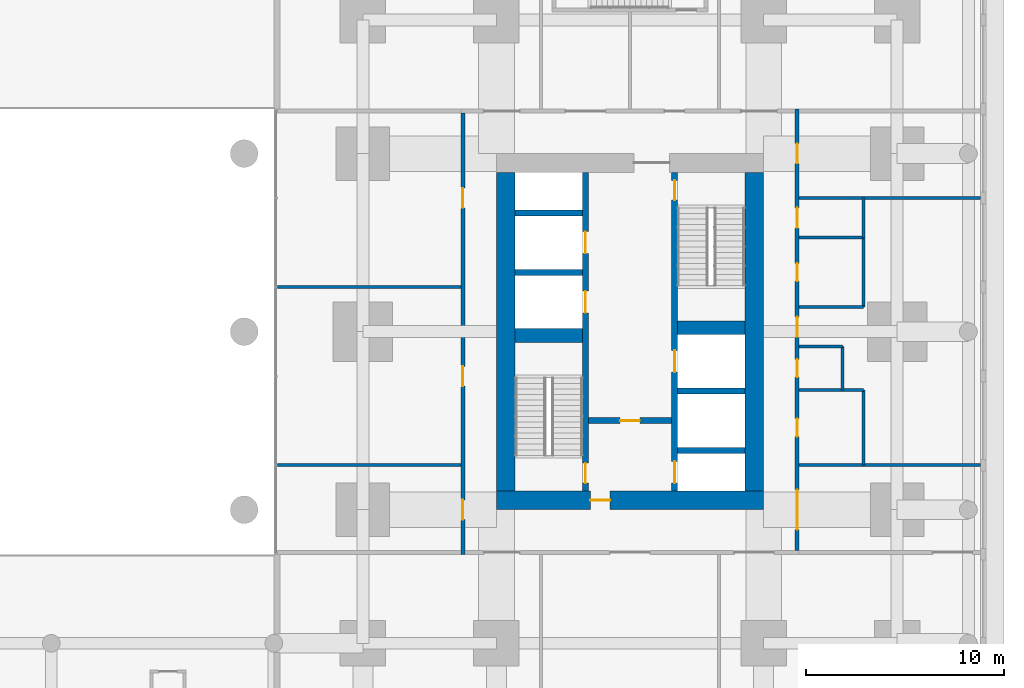
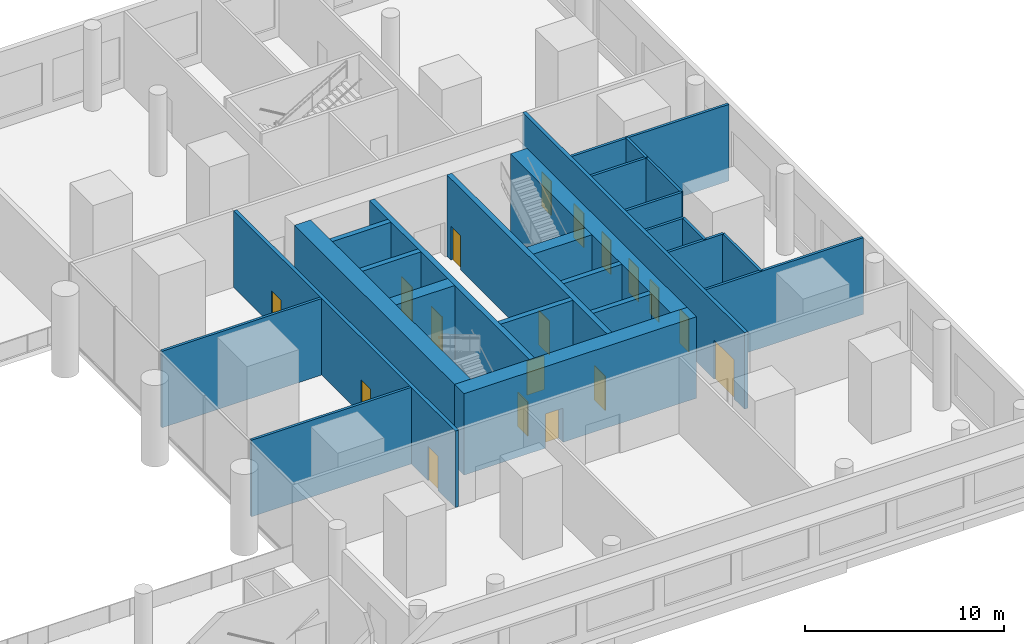
# One storey, part 15 of 21: 26 walls, 18 doors, 18 openings.
"""IFC4 building model written with IfcOpenShell, lengths in metres."""

from ifc_helpers import new_model, si_unit, direction, frame, frame_2d, origin, place, context, subcontext, project, spatial, rectangle, extrude, material, layer, layer_set, type_object, element, fill, save


model = new_model("IFC4")

# Units and contexts
model_context = context("Model", 3, precision=1e-05, world=origin(), true_north=direction((0.0, 1.0)))
body_context = subcontext(model_context, "Body", "Model", "MODEL_VIEW")
ifc_project = project(units=[si_unit("LENGTHUNIT", "METRE"), si_unit("AREAUNIT", "SQUARE_METRE"), si_unit("VOLUMEUNIT", "CUBIC_METRE"), si_unit("PLANEANGLEUNIT", "RADIAN"), si_unit("MASSUNIT", "GRAM", prefix="KILO")], contexts=[model_context])

# Site, building, storey
site_placement = place(None, origin())
site = spatial("IfcSite", under=ifc_project, at=site_placement, CompositionType="ELEMENT")
building_placement = place(site_placement, origin())
building = spatial("IfcBuilding", under=site, at=building_placement, Name="Namib Vertical Campus", CompositionType="ELEMENT")
storey_placement = place(building_placement, frame((0.0, 0.0, 6.0)))
storey = spatial("IfcBuildingStorey", under=building, at=storey_placement, Name="L01", CompositionType="ELEMENT", Elevation=6.0)

# Wall, openings, doors
ifc_material_1 = material(Name="Concrete C60/75", Category="concrete")
ifc_layer_1 = layer(ifc_material_1, 0.300048828125)
ifc_layer_set_1 = layer_set([ifc_layer_1], Name="Concrete C60/75")
wall_type_1 = type_object("IfcWallType", Name="Core inner wall 300", PredefinedType="SHEAR", material=ifc_layer_set_1)
wall_1_placement = place(storey_placement, frame((78.75, 12.199951171875, 0.0), z_axis=(0.0, 0.0, 1.0), x_axis=(0.0, 1.0, 0.0)))
wall_1 = element("IfcWall", 1, at=wall_1_placement, inside=storey, type_object=wall_type_1, Name="Core inner wall B L01 W1", PredefinedType="SHEAR", context=body_context, shape_type="SweptSolid", body=[
    extrude(rectangle(XDim=16.10009765625, YDim=0.300048828125, at=frame_2d((8.050048828125, 0.0))), origin(), (0.0, 0.0, 1.0), 5.0),
])
opening_1_placement = place(wall_1_placement, frame((0.39990234375, 0.0, 0.0)))
opening_1 = element("IfcOpeningElement", 2, at=opening_1_placement, cuts=wall_1, Name="Opening FD1", PredefinedType="OPENING", context=body_context, shape_type="SweptSolid", body=[
    extrude(rectangle(XDim=1.0, YDim=2.10009765625, at=frame_2d((0.5, 1.050048828125))), frame((0.0, 0.159912109375, 0.0), z_axis=(0.0, -1.0, 0.0), x_axis=(1.0, 0.0, 0.0)), (0.0, 0.0, 1.0), 0.320068359375),
])
opening_2_placement = place(wall_1_placement, frame((9.0, 0.0, 0.0)))
opening_2 = element("IfcOpeningElement", 3, at=opening_2_placement, cuts=wall_1, Name="Opening LD1", PredefinedType="OPENING", context=body_context, shape_type="SweptSolid", body=[
    extrude(rectangle(XDim=1.10009765625, YDim=2.10009765625, at=frame_2d((0.550048828125, 1.050048828125))), frame((0.0, 0.159912109375, 0.0), z_axis=(0.0, -1.0, 0.0), x_axis=(1.0, 0.0, 0.0)), (0.0, 0.0, 1.0), 0.320068359375),
])
opening_3_placement = place(wall_1_placement, frame((12.0, 0.0, 0.0)))
opening_3 = element("IfcOpeningElement", 4, at=opening_3_placement, cuts=wall_1, Name="Opening LD1", PredefinedType="OPENING", context=body_context, shape_type="SweptSolid", body=[
    extrude(rectangle(XDim=1.10009765625, YDim=2.10009765625, at=frame_2d((0.550048828125, 1.050048828125))), frame((0.0, 0.159912109375, 0.0), z_axis=(0.0, -1.0, 0.0), x_axis=(1.0, 0.0, 0.0)), (0.0, 0.0, 1.0), 0.320068359375),
])
ifc_material_2 = material(Name="Steel fire door", Category="steel")
door_type_1 = type_object("IfcDoorType", Name="Fire door 1000x2100", OperationType="SINGLE_SWING_RIGHT", PredefinedType="DOOR", material=ifc_material_2)
door_1_placement = place(opening_1_placement, origin())
door_1 = element("IfcDoor", 5, at=door_1_placement, inside=storey, type_object=door_type_1, Name="Stair door FD1 B L01 S1", OperationType="SINGLE_SWING_LEFT", OverallHeight=2.10009765625, OverallWidth=1.0, PredefinedType="DOOR", context=body_context, shape_type="SweptSolid", body=[
    extrude(rectangle(XDim=1.0, YDim=2.10009765625, at=frame_2d((0.5, 1.050048828125))), frame((0.0, 0.02490234375, 0.0), z_axis=(0.0, -1.0, 0.0), x_axis=(1.0, 0.0, 0.0)), (0.0, 0.0, 1.0), 0.050048828125),
])
fill(opening_1, door_1)
ifc_material_3 = material(Name="Stainless steel lift door", Category="steel")
door_type_2 = type_object("IfcDoorType", Name="Lift landing door 1100x2100", OperationType="DOUBLE_DOOR_SLIDING", PredefinedType="DOOR", material=ifc_material_3)
door_2_placement = place(opening_2_placement, origin())
door_2 = element("IfcDoor", 6, at=door_2_placement, inside=storey, type_object=door_type_2, Name="Lift landing door LD1 B-P1 L01", OperationType="DOUBLE_DOOR_SLIDING", OverallHeight=2.10009765625, OverallWidth=1.10009765625, PredefinedType="DOOR", context=body_context, shape_type="SweptSolid", body=[
    extrude(rectangle(XDim=1.10009765625, YDim=2.10009765625, at=frame_2d((0.550048828125, 1.050048828125))), frame((0.0, 0.02490234375, 0.0), z_axis=(0.0, -1.0, 0.0), x_axis=(1.0, 0.0, 0.0)), (0.0, 0.0, 1.0), 0.050048828125),
])
fill(opening_2, door_2)
door_3_placement = place(opening_3_placement, origin())
door_3 = element("IfcDoor", 7, at=door_3_placement, inside=storey, type_object=door_type_2, Name="Lift landing door LD1 B-P2 L01", OperationType="DOUBLE_DOOR_SLIDING", OverallHeight=2.10009765625, OverallWidth=1.10009765625, PredefinedType="DOOR", context=body_context, shape_type="SweptSolid", body=[
    extrude(rectangle(XDim=1.10009765625, YDim=2.10009765625, at=frame_2d((0.550048828125, 1.050048828125))), frame((0.0, 0.02490234375, 0.0), z_axis=(0.0, -1.0, 0.0), x_axis=(1.0, 0.0, 0.0)), (0.0, 0.0, 1.0), 0.050048828125),
])
fill(opening_3, door_3)

wall_2_placement = place(storey_placement, frame((83.25, 12.199951171875, 0.0), z_axis=(0.0, 0.0, 1.0), x_axis=(0.0, 1.0, 0.0)))
wall_2 = element("IfcWall", 8, at=wall_2_placement, inside=storey, type_object=wall_type_1, Name="Core inner wall B L01 W2", PredefinedType="SHEAR", context=body_context, shape_type="SweptSolid", body=[
    extrude(rectangle(XDim=16.10009765625, YDim=0.300048828125, at=frame_2d((8.050048828125, 0.0))), origin(), (0.0, 0.0, 1.0), 5.0),
])
opening_4_placement = place(wall_2_placement, frame((14.699951171875, 0.0, 0.0)))
opening_4 = element("IfcOpeningElement", 9, at=opening_4_placement, cuts=wall_2, Name="Opening FD1", PredefinedType="OPENING", context=body_context, shape_type="SweptSolid", body=[
    extrude(rectangle(XDim=1.0, YDim=2.10009765625, at=frame_2d((0.5, 1.050048828125))), frame((0.0, 0.159912109375, 0.0), z_axis=(0.0, -1.0, 0.0), x_axis=(1.0, 0.0, 0.0)), (0.0, 0.0, 1.0), 0.320068359375),
])
opening_5_placement = place(wall_2_placement, frame((0.39990234375, 0.0, 0.0)))
opening_5 = element("IfcOpeningElement", 10, at=opening_5_placement, cuts=wall_2, Name="Opening LD1", PredefinedType="OPENING", context=body_context, shape_type="SweptSolid", body=[
    extrude(rectangle(XDim=1.10009765625, YDim=2.10009765625, at=frame_2d((0.550048828125, 1.050048828125))), frame((0.0, 0.159912109375, 0.0), z_axis=(0.0, -1.0, 0.0), x_axis=(1.0, 0.0, 0.0)), (0.0, 0.0, 1.0), 0.320068359375),
])
opening_6_placement = place(wall_2_placement, frame((6.0, 0.0, 0.0)))
opening_6 = element("IfcOpeningElement", 11, at=opening_6_placement, cuts=wall_2, Name="Opening LD1", PredefinedType="OPENING", context=body_context, shape_type="SweptSolid", body=[
    extrude(rectangle(XDim=1.10009765625, YDim=2.10009765625, at=frame_2d((0.550048828125, 1.050048828125))), frame((0.0, 0.159912109375, 0.0), z_axis=(0.0, -1.0, 0.0), x_axis=(1.0, 0.0, 0.0)), (0.0, 0.0, 1.0), 0.320068359375),
])
door_4_placement = place(opening_4_placement, frame((1.0, 0.0, 0.0), z_axis=(0.0, 0.0, 1.0), x_axis=(-1.0, 0.0, 0.0)))
door_4 = element("IfcDoor", 12, at=door_4_placement, inside=storey, type_object=door_type_1, Name="Stair door FD1 B L01 S2", OperationType="SINGLE_SWING_LEFT", OverallHeight=2.10009765625, OverallWidth=1.0, PredefinedType="DOOR", context=body_context, shape_type="SweptSolid", body=[
    extrude(rectangle(XDim=1.0, YDim=2.10009765625, at=frame_2d((0.5, 1.050048828125))), frame((0.0, 0.02490234375, 0.0), z_axis=(0.0, -1.0, 0.0), x_axis=(1.0, 0.0, 0.0)), (0.0, 0.0, 1.0), 0.050048828125),
])
fill(opening_4, door_4)
door_5_placement = place(opening_5_placement, origin())
door_5 = element("IfcDoor", 13, at=door_5_placement, inside=storey, type_object=door_type_2, Name="Lift landing door LD1 B-FL1 L01", OperationType="DOUBLE_DOOR_SLIDING", OverallHeight=2.10009765625, OverallWidth=1.10009765625, PredefinedType="DOOR", context=body_context, shape_type="SweptSolid", body=[
    extrude(rectangle(XDim=1.10009765625, YDim=2.10009765625, at=frame_2d((0.550048828125, 1.050048828125))), frame((0.0, 0.02490234375, 0.0), z_axis=(0.0, -1.0, 0.0), x_axis=(1.0, 0.0, 0.0)), (0.0, 0.0, 1.0), 0.050048828125),
])
fill(opening_5, door_5)
door_6_placement = place(opening_6_placement, origin())
door_6 = element("IfcDoor", 14, at=door_6_placement, inside=storey, type_object=door_type_2, Name="Lift landing door LD1 B-P5 L01", OperationType="DOUBLE_DOOR_SLIDING", OverallHeight=2.10009765625, OverallWidth=1.10009765625, PredefinedType="DOOR", context=body_context, shape_type="SweptSolid", body=[
    extrude(rectangle(XDim=1.10009765625, YDim=2.10009765625, at=frame_2d((0.550048828125, 1.050048828125))), frame((0.0, 0.02490234375, 0.0), z_axis=(0.0, -1.0, 0.0), x_axis=(1.0, 0.0, 0.0)), (0.0, 0.0, 1.0), 0.050048828125),
])
fill(opening_6, door_6)

# Wall, opening, door
wall_3_placement = place(storey_placement, frame((78.89990234375, 15.75, 0.0), z_axis=(0.0, 0.0, 1.0), x_axis=(1.0, 0.0, 0.0)))
wall_3 = element("IfcWall", 15, at=wall_3_placement, inside=storey, type_object=wall_type_1, Name="Core inner wall B L01 W4", PredefinedType="SHEAR", context=body_context, shape_type="SweptSolid", body=[
    extrude(rectangle(XDim=4.2001953125, YDim=0.300048828125, at=frame_2d((2.10009765625, 0.0))), origin(), (0.0, 0.0, 1.0), 5.0),
])
opening_7_placement = place(wall_3_placement, frame((1.60009765625, 0.0, 0.0)))
opening_7 = element("IfcOpeningElement", 16, at=opening_7_placement, cuts=wall_3, Name="Opening FD5", PredefinedType="OPENING", context=body_context, shape_type="SweptSolid", body=[
    extrude(rectangle(XDim=1.0, YDim=2.10009765625, at=frame_2d((0.5, 1.050048828125))), frame((0.0, 0.159912109375, 0.0), z_axis=(0.0, -1.0, 0.0), x_axis=(1.0, 0.0, 0.0)), (0.0, 0.0, 1.0), 0.320068359375),
])
ifc_material_4 = material(Name="Steel fire door", Category="steel")
door_type_3 = type_object("IfcDoorType", Name="Fire door 1000x2100 120 min", OperationType="SINGLE_SWING_RIGHT", PredefinedType="DOOR", material=ifc_material_4)
door_7_placement = place(opening_7_placement, frame((1.0, 0.0, 0.0), z_axis=(0.0, 0.0, 1.0), x_axis=(-1.0, 0.0, 0.0)))
door_7 = element("IfcDoor", 17, at=door_7_placement, inside=storey, type_object=door_type_3, Name="Lobby door FD5 B L01", OperationType="SINGLE_SWING_RIGHT", OverallHeight=2.10009765625, OverallWidth=1.0, PredefinedType="DOOR", context=body_context, shape_type="SweptSolid", body=[
    extrude(rectangle(XDim=1.0, YDim=2.10009765625, at=frame_2d((0.5, 1.050048828125))), frame((0.0, 0.02490234375, 0.0), z_axis=(0.0, -1.0, 0.0), x_axis=(1.0, 0.0, 0.0)), (0.0, 0.0, 1.0), 0.050048828125),
])
fill(opening_7, door_7)

# Walls
for number, where, z_axis, x_axis, name in (
    (18, (83.39990234375, 14.25, 0.0), (0.0, 0.0, 1.0), (1.0, 0.0, 0.0), "Core inner wall B L01 W5"),
    (19, (83.39990234375, 17.25, 0.0), (0.0, 0.0, 1.0), (1.0, 0.0, 0.0), "Core inner wall B L01 W6"),
    (20, (75.199951171875, 23.25, 0.0), (0.0, 0.0, 1.0), (1.0, 0.0, 0.0), "Core inner wall B L01 W8"),
    (21, (75.199951171875, 26.25, 0.0), (0.0, 0.0, 1.0), (1.0, 0.0, 0.0), "Core inner wall B L01 W9"),
):
    element("IfcWall", number, at=place(storey_placement, frame(where, z_axis=z_axis, x_axis=x_axis)), inside=storey, type_object=wall_type_1, Name=name, PredefinedType="SHEAR", context=body_context, shape_type="SweptSolid", body=[
        extrude(rectangle(XDim=3.400146484375, YDim=0.300048828125, at=frame_2d((1.7001953125, 0.0))), origin(), (0.0, 0.0, 1.0), 5.0),
    ])
ifc_material_5 = material(Name="Concrete C60/75", Category="concrete")
ifc_layer_2 = layer(ifc_material_5, 0.699951171875)
ifc_layer_set_2 = layer_set([ifc_layer_2], Name="Concrete C60/75")
wall_type_2 = type_object("IfcWallType", Name="Core shear wall 700", PredefinedType="SHEAR", material=ifc_layer_set_2)
for number, where, z_axis, x_axis, name in (
    (22, (75.199951171875, 20.050048828125, 0.0), (0.0, 0.0, 1.0), (1.0, 0.0, 0.0), "Core shear wall B L01 W3"),
    (23, (83.39990234375, 20.449951171875, 0.0), (0.0, 0.0, 1.0), (1.0, 0.0, 0.0), "Core shear wall B L01 W7"),
):
    element("IfcWall", number, at=place(storey_placement, frame(where, z_axis=z_axis, x_axis=x_axis)), inside=storey, type_object=wall_type_2, Name=name, PredefinedType="SHEAR", context=body_context, shape_type="SweptSolid", body=[
        extrude(rectangle(XDim=3.400146484375, YDim=0.699951171875, at=frame_2d((1.7001953125, 0.0))), origin(), (0.0, 0.0, 1.0), 5.0),
    ])

# Wall, opening, door
ifc_material_6 = material(Name="Concrete C60/75", Category="concrete")
ifc_layer_3 = layer(ifc_material_6, 0.949951171875)
ifc_layer_set_3 = layer_set([ifc_layer_3], Name="Concrete C60/75")
wall_type_3 = type_object("IfcWallType", Name="Core wall 950", PredefinedType="SHEAR", material=ifc_layer_set_3)
wall_4_placement = place(storey_placement, frame((74.25, 11.72509765625, 0.0), z_axis=(0.0, 0.0, 1.0), x_axis=(1.0, 0.0, 0.0)))
wall_4 = element("IfcWall", 24, at=wall_4_placement, inside=storey, type_object=wall_type_3, Name="Core wall B L01 1", PredefinedType="SHEAR", context=body_context, shape_type="SweptSolid", body=[
    extrude(rectangle(XDim=13.5, YDim=0.949951171875, at=frame_2d((6.75, 0.0))), origin(), (0.0, 0.0, 1.0), 5.0),
])
opening_8_placement = place(wall_4_placement, frame((4.75, 0.0, 0.0)))
opening_8 = element("IfcOpeningElement", 25, at=opening_8_placement, cuts=wall_4, Name="Opening FD5", PredefinedType="OPENING", context=body_context, shape_type="SweptSolid", body=[
    extrude(rectangle(XDim=1.0, YDim=2.10009765625, at=frame_2d((0.5, 1.050048828125))), frame((0.0, 0.48486328125, 0.0), z_axis=(0.0, -1.0, 0.0), x_axis=(1.0, 0.0, 0.0)), (0.0, 0.0, 1.0), 0.969970703125),
])
door_8_placement = place(opening_8_placement, origin())
door_8 = element("IfcDoor", 26, at=door_8_placement, inside=storey, type_object=door_type_3, Name="Firefighting lobby door FD5 B L01", OperationType="SINGLE_SWING_LEFT", OverallHeight=2.10009765625, OverallWidth=1.0, PredefinedType="DOOR", context=body_context, shape_type="SweptSolid", body=[
    extrude(rectangle(XDim=1.0, YDim=2.10009765625, at=frame_2d((0.5, 1.050048828125))), frame((0.0, 0.02490234375, 0.0), z_axis=(0.0, -1.0, 0.0), x_axis=(1.0, 0.0, 0.0)), (0.0, 0.0, 1.0), 0.050048828125),
])
fill(opening_8, door_8)

# Walls
for number, where, z_axis, x_axis, name in (
    (27, (87.27490234375, 12.199951171875, 0.0), (0.0, 0.0, 1.0), (0.0, 1.0, 0.0), "Core wall B L01 2"),
    (28, (74.72509765625, 28.300048828125, 0.0), (0.0, 0.0, 1.0), (0.0, -1.0, 0.0), "Core wall B L01 4"),
):
    element("IfcWall", number, at=place(storey_placement, frame(where, z_axis=z_axis, x_axis=x_axis)), inside=storey, type_object=wall_type_3, Name=name, PredefinedType="SHEAR", context=body_context, shape_type="SweptSolid", body=[
        extrude(rectangle(XDim=16.10009765625, YDim=0.949951171875, at=frame_2d((8.050048828125, 0.0))), origin(), (0.0, 0.0, 1.0), 5.0),
    ])

# Wall, openings, doors
ifc_material_7 = material(Name="Concrete masonry", Category="masonry")
ifc_layer_4 = layer(ifc_material_7, 0.199951171875)
ifc_layer_set_4 = layer_set([ifc_layer_4], Name="Corridor wall 200")
wall_type_4 = type_object("IfcWallType", Name="Corridor wall 200", PredefinedType="SOLIDWALL", material=ifc_layer_set_4)
wall_5_placement = place(storey_placement, frame((89.449951171875, 9.199951171875, 0.0), z_axis=(0.0, 0.0, 1.0), x_axis=(0.0, 1.0, 0.0)))
wall_5 = element("IfcWall", 29, at=wall_5_placement, inside=storey, type_object=wall_type_4, Name="Corridor wall B L01 CE", PredefinedType="SOLIDWALL", context=body_context, shape_type="SweptSolid", body=[
    extrude(rectangle(XDim=22.300048828125, YDim=0.199951171875, at=frame_2d((11.14990234375, 0.0))), origin(), (0.0, 0.0, 1.0), 4.699951171875),
])
opening_9_placement = place(wall_5_placement, frame((1.050048828125, 0.0, 0.0)))
opening_9 = element("IfcOpeningElement", 30, at=opening_9_placement, cuts=wall_5, Name="Opening AD1", PredefinedType="OPENING", context=body_context, shape_type="SweptSolid", body=[
    extrude(rectangle(XDim=2.0, YDim=2.39990234375, at=frame_2d((1.0, 1.199951171875))), frame((0.0, 0.10986328125, 0.0), z_axis=(0.0, -1.0, 0.0), x_axis=(1.0, 0.0, 0.0)), (0.0, 0.0, 1.0), 0.219970703125),
])
opening_10_placement = place(wall_5_placement, frame((5.75, 0.0, 0.0)))
opening_10 = element("IfcOpeningElement", 31, at=opening_10_placement, cuts=wall_5, Name="Opening CD3", PredefinedType="OPENING", context=body_context, shape_type="SweptSolid", body=[
    extrude(rectangle(XDim=0.89990234375, YDim=2.10009765625, at=frame_2d((0.449951171875, 1.050048828125))), frame((0.0, 0.10986328125, 0.0), z_axis=(0.0, -1.0, 0.0), x_axis=(1.0, 0.0, 0.0)), (0.0, 0.0, 1.0), 0.219970703125),
])
opening_11_placement = place(wall_5_placement, frame((8.75, 0.0, 0.0)))
opening_11 = element("IfcOpeningElement", 32, at=opening_11_placement, cuts=wall_5, Name="Opening CD3", PredefinedType="OPENING", context=body_context, shape_type="SweptSolid", body=[
    extrude(rectangle(XDim=0.89990234375, YDim=2.10009765625, at=frame_2d((0.449951171875, 1.050048828125))), frame((0.0, 0.10986328125, 0.0), z_axis=(0.0, -1.0, 0.0), x_axis=(1.0, 0.0, 0.0)), (0.0, 0.0, 1.0), 0.219970703125),
])
opening_12_placement = place(wall_5_placement, frame((13.60009765625, 0.0, 0.0)))
opening_12 = element("IfcOpeningElement", 33, at=opening_12_placement, cuts=wall_5, Name="Opening CD3", PredefinedType="OPENING", context=body_context, shape_type="SweptSolid", body=[
    extrude(rectangle(XDim=0.89990234375, YDim=2.10009765625, at=frame_2d((0.449951171875, 1.050048828125))), frame((0.0, 0.10986328125, 0.0), z_axis=(0.0, -1.0, 0.0), x_axis=(1.0, 0.0, 0.0)), (0.0, 0.0, 1.0), 0.219970703125),
])
opening_13_placement = place(wall_5_placement, frame((16.300048828125, 0.0, 0.0)))
opening_13 = element("IfcOpeningElement", 34, at=opening_13_placement, cuts=wall_5, Name="Opening CD1", PredefinedType="OPENING", context=body_context, shape_type="SweptSolid", body=[
    extrude(rectangle(XDim=1.0, YDim=2.10009765625, at=frame_2d((0.5, 1.050048828125))), frame((0.0, 0.10986328125, 0.0), z_axis=(0.0, -1.0, 0.0), x_axis=(1.0, 0.0, 0.0)), (0.0, 0.0, 1.0), 0.219970703125),
])
opening_14_placement = place(wall_5_placement, frame((10.800048828125, 0.0, 0.0)))
opening_14 = element("IfcOpeningElement", 35, at=opening_14_placement, cuts=wall_5, Name="Opening CD1", PredefinedType="OPENING", context=body_context, shape_type="SweptSolid", body=[
    extrude(rectangle(XDim=1.0, YDim=2.10009765625, at=frame_2d((0.5, 1.050048828125))), frame((0.0, 0.10986328125, 0.0), z_axis=(0.0, -1.0, 0.0), x_axis=(1.0, 0.0, 0.0)), (0.0, 0.0, 1.0), 0.219970703125),
])
opening_15_placement = place(wall_5_placement, frame((19.550048828125, 0.0, 0.0)))
opening_15 = element("IfcOpeningElement", 36, at=opening_15_placement, cuts=wall_5, Name="Opening CD1", PredefinedType="OPENING", context=body_context, shape_type="SweptSolid", body=[
    extrude(rectangle(XDim=1.0, YDim=2.10009765625, at=frame_2d((0.5, 1.050048828125))), frame((0.0, 0.10986328125, 0.0), z_axis=(0.0, -1.0, 0.0), x_axis=(1.0, 0.0, 0.0)), (0.0, 0.0, 1.0), 0.219970703125),
])
ifc_material_8 = material(Name="Timber fire door leaf", Category="wood")
door_type_4 = type_object("IfcDoorType", Name="Corridor door 1000x2100 20 min", OperationType="SINGLE_SWING_LEFT", PredefinedType="DOOR", material=ifc_material_8)
door_9_placement = place(opening_13_placement, frame((1.0, 0.0, 0.0), z_axis=(0.0, 0.0, 1.0), x_axis=(-1.0, 0.0, 0.0)))
door_9 = element("IfcDoor", 37, at=door_9_placement, inside=storey, type_object=door_type_4, Name="Door CD1 B01-08", OperationType="SINGLE_SWING_RIGHT", OverallHeight=2.10009765625, OverallWidth=1.0, PredefinedType="DOOR", context=body_context, shape_type="SweptSolid", body=[
    extrude(rectangle(XDim=1.0, YDim=2.10009765625, at=frame_2d((0.5, 1.050048828125))), frame((0.0, 0.02490234375, 0.0), z_axis=(0.0, -1.0, 0.0), x_axis=(1.0, 0.0, 0.0)), (0.0, 0.0, 1.0), 0.050048828125),
])
fill(opening_13, door_9)
door_10_placement = place(opening_14_placement, frame((1.0, 0.0, 0.0), z_axis=(0.0, 0.0, 1.0), x_axis=(-1.0, 0.0, 0.0)))
door_10 = element("IfcDoor", 38, at=door_10_placement, inside=storey, type_object=door_type_4, Name="Door CD1 B01-09", OperationType="SINGLE_SWING_RIGHT", OverallHeight=2.10009765625, OverallWidth=1.0, PredefinedType="DOOR", context=body_context, shape_type="SweptSolid", body=[
    extrude(rectangle(XDim=1.0, YDim=2.10009765625, at=frame_2d((0.5, 1.050048828125))), frame((0.0, 0.02490234375, 0.0), z_axis=(0.0, -1.0, 0.0), x_axis=(1.0, 0.0, 0.0)), (0.0, 0.0, 1.0), 0.050048828125),
])
fill(opening_14, door_10)
door_11_placement = place(opening_15_placement, frame((1.0, 0.0, 0.0), z_axis=(0.0, 0.0, 1.0), x_axis=(-1.0, 0.0, 0.0)))
door_11 = element("IfcDoor", 39, at=door_11_placement, inside=storey, type_object=door_type_4, Name="Door CD1 B01-10", OperationType="SINGLE_SWING_RIGHT", OverallHeight=2.10009765625, OverallWidth=1.0, PredefinedType="DOOR", context=body_context, shape_type="SweptSolid", body=[
    extrude(rectangle(XDim=1.0, YDim=2.10009765625, at=frame_2d((0.5, 1.050048828125))), frame((0.0, 0.02490234375, 0.0), z_axis=(0.0, -1.0, 0.0), x_axis=(1.0, 0.0, 0.0)), (0.0, 0.0, 1.0), 0.050048828125),
])
fill(opening_15, door_11)
ifc_material_9 = material(Name="Timber fire door leaf", Category="wood")
door_type_5 = type_object("IfcDoorType", Name="Corridor toilet door 900x2100 20 min", OperationType="SINGLE_SWING_LEFT", PredefinedType="DOOR", material=ifc_material_9)
door_12_placement = place(opening_10_placement, frame((0.89990234375, 0.0, 0.0), z_axis=(0.0, 0.0, 1.0), x_axis=(-1.0, 0.0, 0.0)))
door_12 = element("IfcDoor", 40, at=door_12_placement, inside=storey, type_object=door_type_5, Name="Door CD3 B01-05", OperationType="SINGLE_SWING_RIGHT", OverallHeight=2.10009765625, OverallWidth=0.89990234375, PredefinedType="DOOR", context=body_context, shape_type="SweptSolid", body=[
    extrude(rectangle(XDim=0.89990234375, YDim=2.10009765625, at=frame_2d((0.449951171875, 1.050048828125))), frame((0.0, 0.02490234375, 0.0), z_axis=(0.0, -1.0, 0.0), x_axis=(1.0, 0.0, 0.0)), (0.0, 0.0, 1.0), 0.050048828125),
])
fill(opening_10, door_12)
door_13_placement = place(opening_11_placement, frame((0.89990234375, 0.0, 0.0), z_axis=(0.0, 0.0, 1.0), x_axis=(-1.0, 0.0, 0.0)))
door_13 = element("IfcDoor", 41, at=door_13_placement, inside=storey, type_object=door_type_5, Name="Door CD3 B01-06", OperationType="SINGLE_SWING_RIGHT", OverallHeight=2.10009765625, OverallWidth=0.89990234375, PredefinedType="DOOR", context=body_context, shape_type="SweptSolid", body=[
    extrude(rectangle(XDim=0.89990234375, YDim=2.10009765625, at=frame_2d((0.449951171875, 1.050048828125))), frame((0.0, 0.02490234375, 0.0), z_axis=(0.0, -1.0, 0.0), x_axis=(1.0, 0.0, 0.0)), (0.0, 0.0, 1.0), 0.050048828125),
])
fill(opening_11, door_13)
door_14_placement = place(opening_12_placement, frame((0.89990234375, 0.0, 0.0), z_axis=(0.0, 0.0, 1.0), x_axis=(-1.0, 0.0, 0.0)))
door_14 = element("IfcDoor", 42, at=door_14_placement, inside=storey, type_object=door_type_5, Name="Door CD3 B01-07", OperationType="SINGLE_SWING_RIGHT", OverallHeight=2.10009765625, OverallWidth=0.89990234375, PredefinedType="DOOR", context=body_context, shape_type="SweptSolid", body=[
    extrude(rectangle(XDim=0.89990234375, YDim=2.10009765625, at=frame_2d((0.449951171875, 1.050048828125))), frame((0.0, 0.02490234375, 0.0), z_axis=(0.0, -1.0, 0.0), x_axis=(1.0, 0.0, 0.0)), (0.0, 0.0, 1.0), 0.050048828125),
])
fill(opening_12, door_14)
ifc_material_10 = material(Name="Timber acoustic fire door leaf", Category="wood")
door_type_6 = type_object("IfcDoorType", Name="Lecture theatre door pair 2000x2400 acoustic", OperationType="DOUBLE_DOOR_SINGLE_SWING", PredefinedType="DOOR", material=ifc_material_10)
door_15_placement = place(opening_9_placement, origin())
door_15 = element("IfcDoor", 43, at=door_15_placement, inside=storey, type_object=door_type_6, Name="Door AD1 B01-04", OperationType="DOUBLE_DOOR_SINGLE_SWING", OverallHeight=2.39990234375, OverallWidth=2.0, PredefinedType="DOOR", context=body_context, shape_type="SweptSolid", body=[
    extrude(rectangle(XDim=2.0, YDim=2.39990234375, at=frame_2d((1.0, 1.199951171875))), frame((0.0, 0.02490234375, 0.0), z_axis=(0.0, -1.0, 0.0), x_axis=(1.0, 0.0, 0.0)), (0.0, 0.0, 1.0), 0.050048828125),
])
fill(opening_9, door_15)

wall_6_placement = place(storey_placement, frame((72.550048828125, 31.300048828125, 0.0), z_axis=(0.0, 0.0, 1.0), x_axis=(0.0, -1.0, 0.0)))
wall_6 = element("IfcWall", 44, at=wall_6_placement, inside=storey, type_object=wall_type_4, Name="Corridor wall B L01 CW", PredefinedType="SOLIDWALL", context=body_context, shape_type="SweptSolid", body=[
    extrude(rectangle(XDim=22.300048828125, YDim=0.199951171875, at=frame_2d((11.14990234375, 0.0))), origin(), (0.0, 0.0, 1.0), 4.699951171875),
])
opening_16_placement = place(wall_6_placement, frame((19.550048828125, 0.0, 0.0)))
opening_16 = element("IfcOpeningElement", 45, at=opening_16_placement, cuts=wall_6, Name="Opening CD1", PredefinedType="OPENING", context=body_context, shape_type="SweptSolid", body=[
    extrude(rectangle(XDim=1.0, YDim=2.10009765625, at=frame_2d((0.5, 1.050048828125))), frame((0.0, 0.10986328125, 0.0), z_axis=(0.0, -1.0, 0.0), x_axis=(1.0, 0.0, 0.0)), (0.0, 0.0, 1.0), 0.219970703125),
])
opening_17_placement = place(wall_6_placement, frame((12.800048828125, 0.0, 0.0)))
opening_17 = element("IfcOpeningElement", 46, at=opening_17_placement, cuts=wall_6, Name="Opening CD1", PredefinedType="OPENING", context=body_context, shape_type="SweptSolid", body=[
    extrude(rectangle(XDim=1.0, YDim=2.10009765625, at=frame_2d((0.5, 1.050048828125))), frame((0.0, 0.10986328125, 0.0), z_axis=(0.0, -1.0, 0.0), x_axis=(1.0, 0.0, 0.0)), (0.0, 0.0, 1.0), 0.219970703125),
])
opening_18_placement = place(wall_6_placement, frame((3.800048828125, 0.0, 0.0)))
opening_18 = element("IfcOpeningElement", 47, at=opening_18_placement, cuts=wall_6, Name="Opening CD1", PredefinedType="OPENING", context=body_context, shape_type="SweptSolid", body=[
    extrude(rectangle(XDim=1.0, YDim=2.10009765625, at=frame_2d((0.5, 1.050048828125))), frame((0.0, 0.10986328125, 0.0), z_axis=(0.0, -1.0, 0.0), x_axis=(1.0, 0.0, 0.0)), (0.0, 0.0, 1.0), 0.219970703125),
])
door_16_placement = place(opening_16_placement, frame((1.0, 0.0, 0.0), z_axis=(0.0, 0.0, 1.0), x_axis=(-1.0, 0.0, 0.0)))
door_16 = element("IfcDoor", 48, at=door_16_placement, inside=storey, type_object=door_type_4, Name="Door CD1 B01-15", OperationType="SINGLE_SWING_RIGHT", OverallHeight=2.10009765625, OverallWidth=1.0, PredefinedType="DOOR", context=body_context, shape_type="SweptSolid", body=[
    extrude(rectangle(XDim=1.0, YDim=2.10009765625, at=frame_2d((0.5, 1.050048828125))), frame((0.0, 0.02490234375, 0.0), z_axis=(0.0, -1.0, 0.0), x_axis=(1.0, 0.0, 0.0)), (0.0, 0.0, 1.0), 0.050048828125),
])
fill(opening_16, door_16)
door_17_placement = place(opening_17_placement, frame((1.0, 0.0, 0.0), z_axis=(0.0, 0.0, 1.0), x_axis=(-1.0, 0.0, 0.0)))
door_17 = element("IfcDoor", 49, at=door_17_placement, inside=storey, type_object=door_type_4, Name="Door CD1 B01-16", OperationType="SINGLE_SWING_RIGHT", OverallHeight=2.10009765625, OverallWidth=1.0, PredefinedType="DOOR", context=body_context, shape_type="SweptSolid", body=[
    extrude(rectangle(XDim=1.0, YDim=2.10009765625, at=frame_2d((0.5, 1.050048828125))), frame((0.0, 0.02490234375, 0.0), z_axis=(0.0, -1.0, 0.0), x_axis=(1.0, 0.0, 0.0)), (0.0, 0.0, 1.0), 0.050048828125),
])
fill(opening_17, door_17)
door_18_placement = place(opening_18_placement, frame((1.0, 0.0, 0.0), z_axis=(0.0, 0.0, 1.0), x_axis=(-1.0, 0.0, 0.0)))
door_18 = element("IfcDoor", 50, at=door_18_placement, inside=storey, type_object=door_type_4, Name="Door CD1 B01-17", OperationType="SINGLE_SWING_RIGHT", OverallHeight=2.10009765625, OverallWidth=1.0, PredefinedType="DOOR", context=body_context, shape_type="SweptSolid", body=[
    extrude(rectangle(XDim=1.0, YDim=2.10009765625, at=frame_2d((0.5, 1.050048828125))), frame((0.0, 0.02490234375, 0.0), z_axis=(0.0, -1.0, 0.0), x_axis=(1.0, 0.0, 0.0)), (0.0, 0.0, 1.0), 0.050048828125),
])
fill(opening_18, door_18)

# Walls
ifc_material_11 = material(Name="Gypsum board on steel studs", Category="steel")
ifc_layer_5 = layer(ifc_material_11, 0.14990234375)
ifc_layer_set_5 = layer_set([ifc_layer_5], Name="Gypsum board on steel studs")
wall_type_5 = type_object("IfcWallType", Name="Partition 150", PredefinedType="PARTITIONING", material=ifc_layer_set_5)
for number, where, z_axis, x_axis, name in (
    (51, (89.550048828125, 13.5, 0.0), (0.0, 0.0, 1.0), (1.0, 0.0, 0.0), "Partition B L01 PE1"),
    (52, (89.550048828125, 27.0, 0.0), (0.0, 0.0, 1.0), (1.0, 0.0, 0.0), "Partition B L01 PE2"),
):
    element("IfcWall", number, at=place(storey_placement, frame(where, z_axis=z_axis, x_axis=x_axis)), inside=storey, type_object=wall_type_5, Name=name, PredefinedType="PARTITIONING", context=body_context, shape_type="SweptSolid", body=[
        extrude(rectangle(XDim=9.14990234375, YDim=0.14990234375, at=frame_2d((4.574951171875, 0.0))), origin(), (0.0, 0.0, 1.0), 4.699951171875),
    ])
for number, where, z_axis, x_axis, name in (
    (53, (63.179931640625, 13.5, 0.0), (0.0, 0.0, 1.0), (1.0, 0.0, 0.0), "Partition B L01 PW1"),
    (54, (63.179931640625, 22.5, 0.0), (0.0, 0.0, 1.0), (1.0, 0.0, 0.0), "Partition B L01 PW2"),
):
    element("IfcWall", number, at=place(storey_placement, frame(where, z_axis=z_axis, x_axis=x_axis)), inside=storey, type_object=wall_type_5, Name=name, PredefinedType="PARTITIONING", context=body_context, shape_type="SweptSolid", body=[
        extrude(rectangle(XDim=9.27001953125, YDim=0.14990234375, at=frame_2d((4.635009765625, 0.0))), origin(), (0.0, 0.0, 1.0), 4.699951171875),
    ])
wall_7_placement = place(storey_placement, frame((89.550048828125, 17.300048828125, 0.0), z_axis=(0.0, 0.0, 1.0), x_axis=(1.0, 0.0, 0.0)))
element("IfcWall", 55, at=wall_7_placement, inside=storey, type_object=wall_type_5, Name="Partition B L01 WR1", PredefinedType="PARTITIONING", context=body_context, shape_type="SweptSolid", body=[
    extrude(rectangle(XDim=3.25, YDim=0.14990234375, at=frame_2d((1.625, 0.0))), origin(), (0.0, 0.0, 1.0), 4.699951171875),
])
wall_8_placement = place(storey_placement, frame((89.550048828125, 19.5, 0.0), z_axis=(0.0, 0.0, 1.0), x_axis=(1.0, 0.0, 0.0)))
element("IfcWall", 56, at=wall_8_placement, inside=storey, type_object=wall_type_5, Name="Partition B L01 WR2", PredefinedType="PARTITIONING", context=body_context, shape_type="SweptSolid", body=[
    extrude(rectangle(XDim=2.199951171875, YDim=0.14990234375, at=frame_2d((1.10009765625, 0.0))), origin(), (0.0, 0.0, 1.0), 4.699951171875),
])
for number, where, z_axis, x_axis, name in (
    (57, (89.550048828125, 21.5, 0.0), (0.0, 0.0, 1.0), (1.0, 0.0, 0.0), "Partition B L01 WR3"),
    (58, (89.550048828125, 25.0, 0.0), (0.0, 0.0, 1.0), (1.0, 0.0, 0.0), "Partition B L01 WR4"),
):
    element("IfcWall", number, at=place(storey_placement, frame(where, z_axis=z_axis, x_axis=x_axis)), inside=storey, type_object=wall_type_5, Name=name, PredefinedType="PARTITIONING", context=body_context, shape_type="SweptSolid", body=[
        extrude(rectangle(XDim=3.25, YDim=0.14990234375, at=frame_2d((1.625, 0.0))), origin(), (0.0, 0.0, 1.0), 4.699951171875),
    ])
wall_9_placement = place(storey_placement, frame((92.800048828125, 13.5, 0.0), z_axis=(0.0, 0.0, 1.0), x_axis=(0.0, 1.0, 0.0)))
element("IfcWall", 59, at=wall_9_placement, inside=storey, type_object=wall_type_5, Name="Partition B L01 WB1", PredefinedType="PARTITIONING", context=body_context, shape_type="SweptSolid", body=[
    extrude(rectangle(XDim=3.800048828125, YDim=0.14990234375, at=frame_2d((1.89990234375, 0.0))), origin(), (0.0, 0.0, 1.0), 4.699951171875),
])
wall_10_placement = place(storey_placement, frame((91.75, 17.300048828125, 0.0), z_axis=(0.0, 0.0, 1.0), x_axis=(0.0, 1.0, 0.0)))
element("IfcWall", 60, at=wall_10_placement, inside=storey, type_object=wall_type_5, Name="Partition B L01 WB2", PredefinedType="PARTITIONING", context=body_context, shape_type="SweptSolid", body=[
    extrude(rectangle(XDim=2.199951171875, YDim=0.14990234375, at=frame_2d((1.10009765625, 0.0))), origin(), (0.0, 0.0, 1.0), 4.699951171875),
])
wall_11_placement = place(storey_placement, frame((92.800048828125, 21.5, 0.0), z_axis=(0.0, 0.0, 1.0), x_axis=(0.0, 1.0, 0.0)))
element("IfcWall", 61, at=wall_11_placement, inside=storey, type_object=wall_type_5, Name="Partition B L01 WB3", PredefinedType="PARTITIONING", context=body_context, shape_type="SweptSolid", body=[
    extrude(rectangle(XDim=3.5, YDim=0.14990234375, at=frame_2d((1.75, 0.0))), origin(), (0.0, 0.0, 1.0), 4.699951171875),
])
wall_12_placement = place(storey_placement, frame((92.800048828125, 25.0, 0.0), z_axis=(0.0, 0.0, 1.0), x_axis=(0.0, 1.0, 0.0)))
element("IfcWall", 62, at=wall_12_placement, inside=storey, type_object=wall_type_5, Name="Partition B L01 WB4", PredefinedType="PARTITIONING", context=body_context, shape_type="SweptSolid", body=[
    extrude(rectangle(XDim=2.0, YDim=0.14990234375, at=frame_2d((1.0, 0.0))), origin(), (0.0, 0.0, 1.0), 4.699951171875),
])

save(model, "model.ifc")
